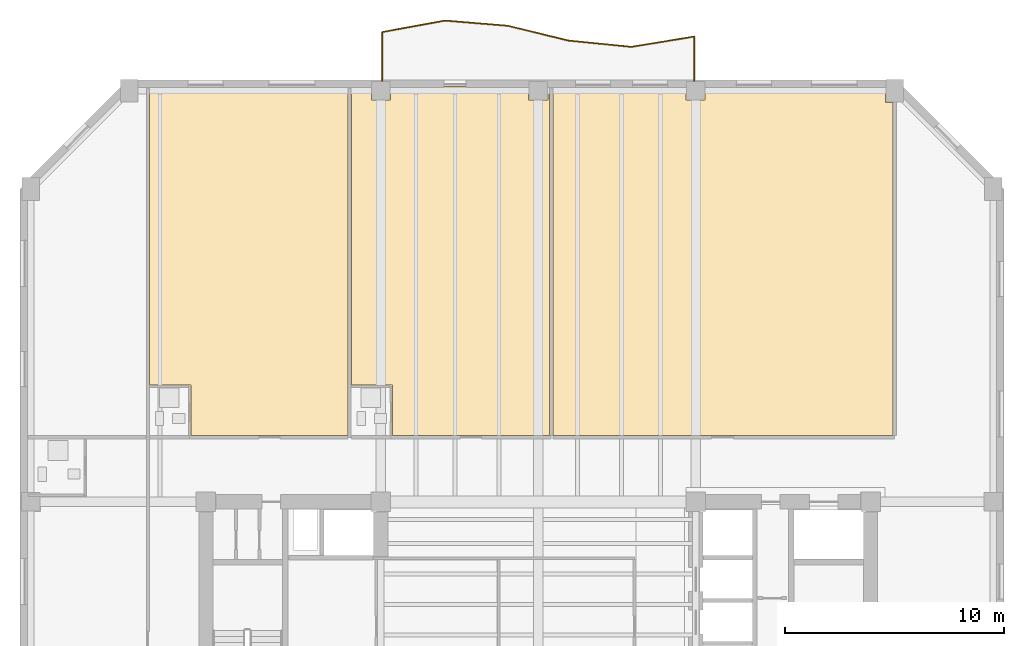
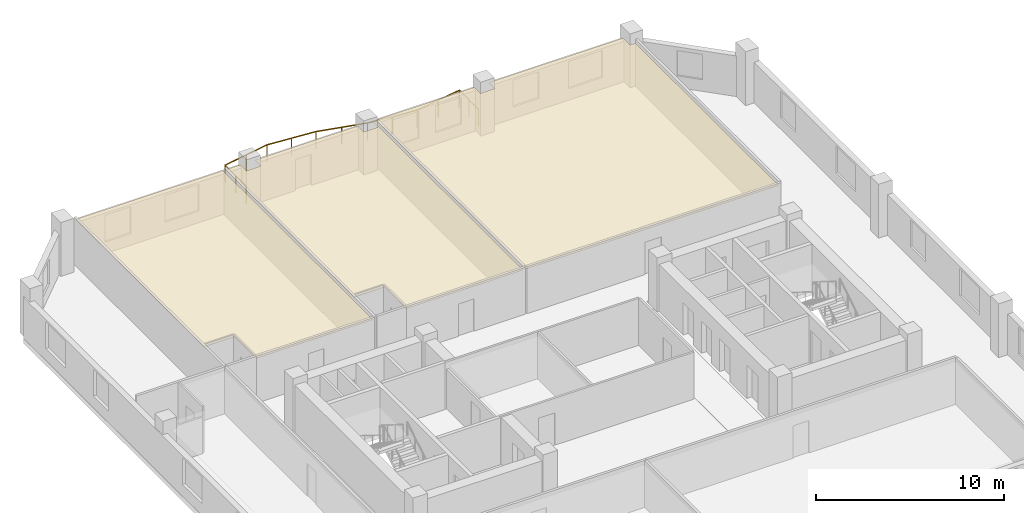
# One storey, part 8 of 9: 3 coverings, 1 railing.
"""IFC4 building model written with IfcOpenShell, lengths in metres."""

from ifc_helpers import new_model, si_unit, direction, frame, origin, origin_2d, place, context, subcontext, project, spatial, polyline, circle, outline, extrude, material, layer, layer_set, type_object, element, save


model = new_model("IFC4")

# Units and contexts
model_context = context("Model", 3, precision=1e-05, world=origin(), true_north=direction((0.0, 1.0)))
body_context = subcontext(model_context, "Body", "Model", "MODEL_VIEW")
ifc_project = project(units=[si_unit("LENGTHUNIT", "METRE"), si_unit("AREAUNIT", "SQUARE_METRE"), si_unit("VOLUMEUNIT", "CUBIC_METRE"), si_unit("PLANEANGLEUNIT", "RADIAN"), si_unit("MASSUNIT", "GRAM", prefix="KILO")], contexts=[model_context])

# Site, building, storey
site_placement = place(None, origin())
site = spatial("IfcSite", under=ifc_project, at=site_placement, CompositionType="ELEMENT")
building_placement = place(site_placement, origin())
building = spatial("IfcBuilding", under=site, at=building_placement, Name="Kranthara Brick Stack", CompositionType="ELEMENT")
storey_placement = place(building_placement, frame((0.0, 0.0, 193.800048828125)))
storey = spatial("IfcBuildingStorey", under=building, at=storey_placement, Name="L50", CompositionType="ELEMENT", Elevation=193.800048828125)

# Coverings
ifc_material_1 = material(Name="Perforated mineral-fibre acoustic ceiling tile", Category="other")
ifc_layer = layer(ifc_material_1, 0.02490234375)
ifc_layer_set = layer_set([ifc_layer], Name="Perforated mineral-fibre acoustic ceiling tile")
covering_type = type_object("IfcCoveringType", Name="COV-CEIL-ACOUSTIC", PredefinedType="CEILING", material=ifc_layer_set)
covering_1_placement = place(storey_placement, frame((0.0, 0.0, 2.780029296875)))
element("IfcCovering", 1, at=covering_1_placement, inside=storey, type_object=covering_type, Name="L50 Room L50-03 Corner Junior Suite Acoustic Ceiling", PredefinedType="CEILING", context=body_context, shape_type="SweptSolid", body=[
    extrude(outline(polyline([(12.110107421875, 36.6298828125), (19.2900390625, 36.6298828125), (19.2900390625, 52.60009765625), (10.22998046875, 52.60009765625), (10.22998046875, 38.93994140625), (12.110107421875, 38.93994140625), (12.110107421875, 36.6298828125)])), origin(), (0.0, 0.0, 1.0), 0.02490234375),
])
covering_2_placement = place(storey_placement, frame((0.0, 0.0, 2.780029296875)))
element("IfcCovering", 2, at=covering_2_placement, inside=storey, type_object=covering_type, Name="L50 Room L50-04 Corner Junior Suite Acoustic Ceiling", PredefinedType="CEILING", context=body_context, shape_type="SweptSolid", body=[
    extrude(outline(polyline([(28.510986328125, 36.6298828125), (21.330078125, 36.6298828125), (21.330078125, 38.93994140625), (19.449951171875, 38.93994140625), (19.449951171875, 52.60009765625), (20.364990234375, 52.60009765625), (20.364990234375, 51.965087890625), (21.235107421875, 51.965087890625), (21.235107421875, 52.60009765625), (27.56494140625, 52.60009765625), (27.56494140625, 51.965087890625), (28.43505859375, 51.965087890625), (28.43505859375, 52.60009765625), (28.510986328125, 52.60009765625), (28.510986328125, 36.6298828125)])), origin(), (0.0, 0.0, 1.0), 0.02490234375),
])
covering_3_placement = place(storey_placement, frame((0.0, 0.0, 2.780029296875)))
element("IfcCovering", 3, at=covering_3_placement, inside=storey, type_object=covering_type, Name="L50 L50 Guest Sky Lounge 5 Acoustic Ceiling", PredefinedType="CEILING", context=body_context, shape_type="SweptSolid", body=[
    extrude(outline(polyline([(44.219970703125, 36.6298828125), (28.6708984375, 36.6298828125), (28.6708984375, 52.60009765625), (34.764892578125, 52.60009765625), (34.764892578125, 51.965087890625), (35.635009765625, 51.965087890625), (35.635009765625, 52.60009765625), (43.889892578125, 52.60009765625), (43.889892578125, 51.864990234375), (44.219970703125, 51.864990234375), (44.219970703125, 36.6298828125)])), origin(), (0.0, 0.0, 1.0), 0.02490234375),
])

# Railing
ifc_material_2 = material(Name="Bronze anodised aluminium and laminated glass balustrade", Category="aluminium")
railing_type = type_object("IfcRailingType", Name="RL-BALC-1120", PredefinedType="BALUSTRADE", material=ifc_material_2)
railing_placement = place(storey_placement, frame((20.860107421875, 52.840087890625, 0.0)))
element("IfcRailing", 4, at=railing_placement, inside=storey, type_object=railing_type, Name="L50 North Rippling Balcony Balustrade", PredefinedType="BALUSTRADE", context=body_context, shape_type="SweptSolid", body=[
    extrude(circle(Radius=0.02392578125, at=origin_2d()), frame((0.0, 0.0, 1.09619140625), z_axis=(-0.000108742931, 0.999999994087, 0.0), x_axis=(-0.999999994087, -0.000108742931, 0.0)), (0.0, 0.0, 1.0), 2.2451171875),
    extrude(circle(Radius=0.02392578125, at=origin_2d()), frame((-0.000244140625, 2.2451171875, 1.09619140625), z_axis=(0.983714670361, 0.179737161757, 0.0), x_axis=(-0.179737161757, 0.983714670361, 0.0)), (0.0, 0.0, 1.0), 2.92578125),
    extrude(circle(Radius=0.02392578125, at=origin_2d()), frame((2.8779296875, 2.77099609375, 1.09619140625), z_axis=(0.996612031688, -0.082246326939, 0.0), x_axis=(0.082246326939, 0.996612031688, 0.0)), (0.0, 0.0, 1.0), 2.88232421875),
    extrude(circle(Radius=0.02392578125, at=origin_2d()), frame((5.75048828125, 2.533935546875, 1.09619140625), z_axis=(0.971447701041, -0.237253796896, 0.0), x_axis=(0.237253796896, 0.971447701041, 0.0)), (0.0, 0.0, 1.0), 2.851318359375),
    extrude(circle(Radius=0.02392578125, at=origin_2d()), frame((8.5205078125, 1.857421875, 1.09619140625), z_axis=(0.995007073889, -0.099804423301, 0.0), x_axis=(0.099804423301, 0.995007073889, 0.0)), (0.0, 0.0, 1.0), 2.893798828125),
    extrude(circle(Radius=0.02392578125, at=origin_2d()), frame((11.39990234375, 1.568603515625, 1.09619140625), z_axis=(0.986786696486, 0.162024737738, 0.0), x_axis=(-0.162024737738, 0.986786696486, 0.0)), (0.0, 0.0, 1.0), 2.918701171875),
    extrude(circle(Radius=0.02392578125, at=origin_2d()), frame((14.280029296875, 2.04150390625, 1.09619140625), z_axis=(-0.000119588614, -0.999999992849, 0.0), x_axis=(0.999999992849, -0.000119588614, 0.0)), (0.0, 0.0, 1.0), 2.04150390625),
    extrude(circle(Radius=0.02099609375, at=origin_2d()), origin(), (0.0, 0.0, 1.0), 1.072021484375),
    extrude(circle(Radius=0.02099609375, at=origin_2d()), frame((0.0, 1.12255859375, 0.0)), (0.0, 0.0, 1.0), 1.072021484375),
    extrude(circle(Radius=0.02099609375, at=origin_2d()), frame((-0.000244140625, 2.2451171875, 0.0)), (0.0, 0.0, 1.0), 1.072021484375),
    extrude(circle(Radius=0.02099609375, at=origin_2d()), frame((1.43896484375, 2.508056640625, 0.0)), (0.0, 0.0, 1.0), 1.072021484375),
    extrude(circle(Radius=0.02099609375, at=origin_2d()), frame((2.8779296875, 2.77099609375, 0.0)), (0.0, 0.0, 1.0), 1.072021484375),
    extrude(circle(Radius=0.02099609375, at=origin_2d()), frame((4.314208984375, 2.65234375, 0.0)), (0.0, 0.0, 1.0), 1.072021484375),
    extrude(circle(Radius=0.02099609375, at=origin_2d()), frame((5.75048828125, 2.533935546875, 0.0)), (0.0, 0.0, 1.0), 1.072021484375),
    extrude(circle(Radius=0.02099609375, at=origin_2d()), frame((7.135498046875, 2.19580078125, 0.0)), (0.0, 0.0, 1.0), 1.072021484375),
    extrude(circle(Radius=0.02099609375, at=origin_2d()), frame((8.5205078125, 1.857421875, 0.0)), (0.0, 0.0, 1.0), 1.072021484375),
    extrude(circle(Radius=0.02099609375, at=origin_2d()), frame((9.960205078125, 1.712890625, 0.0)), (0.0, 0.0, 1.0), 1.072021484375),
    extrude(circle(Radius=0.02099609375, at=origin_2d()), frame((11.39990234375, 1.568603515625, 0.0)), (0.0, 0.0, 1.0), 1.072021484375),
    extrude(circle(Radius=0.02099609375, at=origin_2d()), frame((12.83984375, 1.80517578125, 0.0)), (0.0, 0.0, 1.0), 1.072021484375),
    extrude(circle(Radius=0.02099609375, at=origin_2d()), frame((14.280029296875, 2.04150390625, 0.0)), (0.0, 0.0, 1.0), 1.072021484375),
    extrude(circle(Radius=0.02099609375, at=origin_2d()), frame((14.27978515625, 1.020751953125, 0.0)), (0.0, 0.0, 1.0), 1.072021484375),
    extrude(circle(Radius=0.02099609375, at=origin_2d()), frame((14.27978515625, 0.0, 0.0)), (0.0, 0.0, 1.0), 1.072021484375),
])

save(model, "model.ifc")
